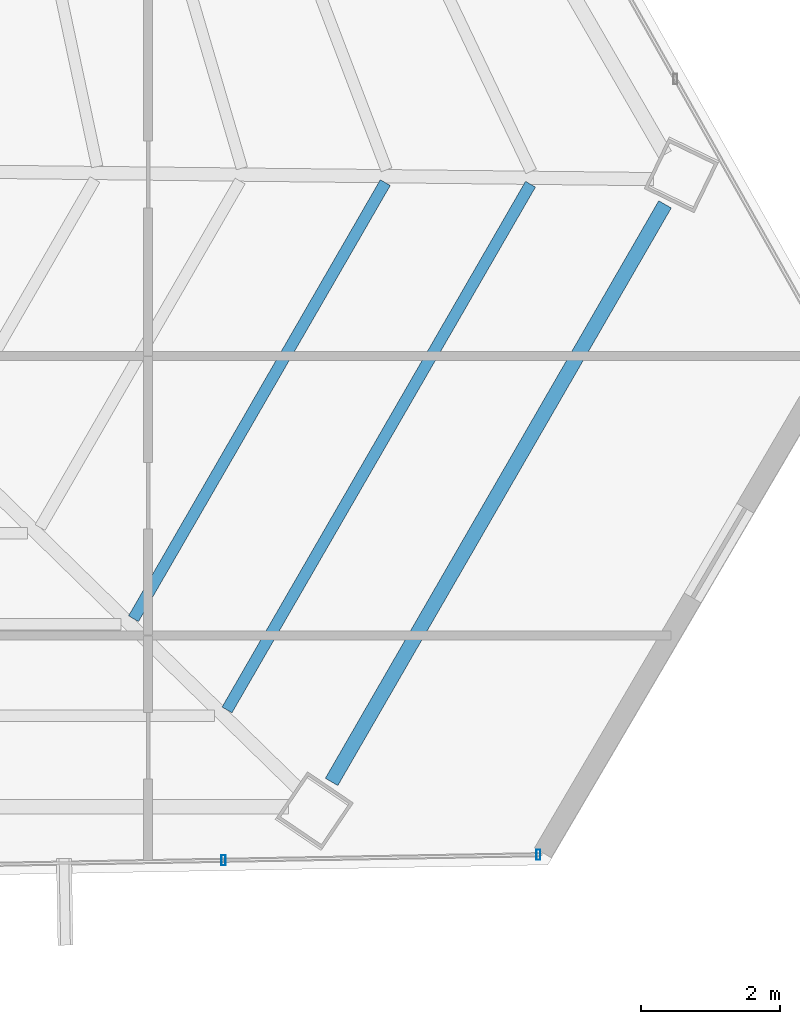
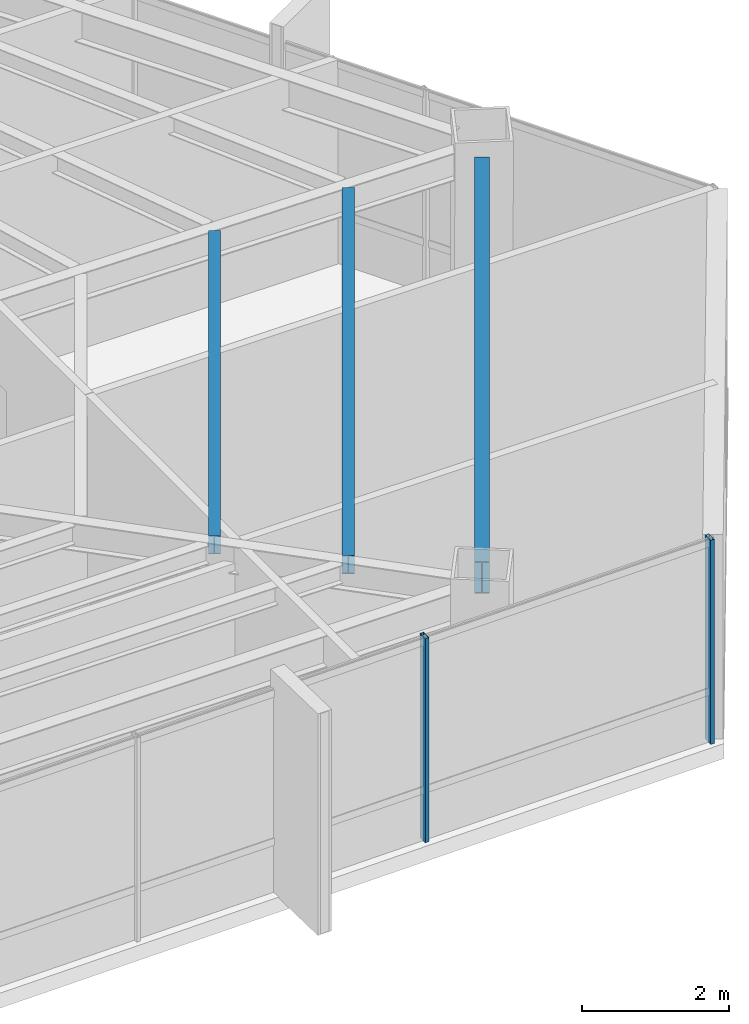
# One storey, part 20 of 42: 3 beams, 2 members, 1 element without a shape of its own.
"""IFC4 building model written with IfcOpenShell, lengths in metres."""

from ifc_helpers import new_model, si_unit, direction, frame, origin, origin_2d, place, context, subcontext, project, spatial, hollow_rectangle, i_section, extrude, source, transform, mapped, material, material_profile, profile_set, type_object, type_shapes, element, aggregate, save


model = new_model("IFC4")

# Units and contexts
model_context = context("Model", 3, precision=1e-05, world=origin(), true_north=direction((0.0, 1.0)))
body_context = subcontext(model_context, "Body", "Model", "MODEL_VIEW")
ifc_project = project(units=[si_unit("LENGTHUNIT", "METRE"), si_unit("AREAUNIT", "SQUARE_METRE"), si_unit("VOLUMEUNIT", "CUBIC_METRE"), si_unit("PLANEANGLEUNIT", "RADIAN"), si_unit("MASSUNIT", "GRAM", prefix="KILO")], contexts=[model_context])

# Site, building, storey
site_placement = place(None, origin())
site = spatial("IfcSite", under=ifc_project, at=site_placement, CompositionType="ELEMENT")
building_placement = place(site_placement, origin())
building = spatial("IfcBuilding", under=site, at=building_placement, Name="Caelisora Broadcast Tower", CompositionType="ELEMENT")
storey_placement = place(building_placement, frame((0.0, 0.0, 195.0)))
storey = spatial("IfcBuildingStorey", under=building, at=storey_placement, Name="L51", CompositionType="ELEMENT", Elevation=195.0)

# Beams
ifc_material_1 = material(Name="Steel Grade 350 (AS/NZS 3679.1)", Category="steel")
ifc_material_profile_1 = material_profile(ifc_material_1, i_section(OverallWidth=0.208984375, OverallDepth=0.532958984375, WebThickness=0.01025390625, FlangeThickness=0.015625, at=origin_2d()), Name="Steel Grade 350 (AS/NZS 3679.1)")
ifc_profile_set_1 = profile_set([ifc_material_profile_1], Name="Steel Grade 350 (AS/NZS 3679.1)")
beam_type_1 = type_object("IfcBeamType", Name="PG05", PredefinedType="BEAM", material=ifc_profile_set_1)
shared_shape_1 = source(origin(), body_context, "Body", "SweptSolid", [
    extrude(i_section(OverallWidth=0.208984375, OverallDepth=0.532958984375, WebThickness=0.01025390625, FlangeThickness=0.015625, at=origin_2d()), origin(), (0.0, 0.0, 1.0), 9.619140625),
])
type_shapes(beam_type_1, [shared_shape_1])
beam_1_placement = place(storey_placement, frame((55.14404296875, 8.54833984375, 3.133544921875), z_axis=(0.500004406092, 0.866022859911, 0.0), x_axis=(-0.866022859911, 0.500004406092, 0.0)))
element("IfcBeam", 1, at=beam_1_placement, inside=storey, type_object=beam_type_1, Name="L51 beam PG05", PredefinedType="BEAM", context=body_context, shape_type="MappedRepresentation", body=[
    mapped(shared_shape_1, transform((0.0, 0.0, 0.0), scale=1.0)),
])
ifc_material_profile_2 = material_profile(ifc_material_1, i_section(OverallWidth=0.166015625, OverallDepth=0.30712890625, WebThickness=0.006591796875, FlangeThickness=0.01171875, at=origin_2d()), Name="Steel Grade 350 (AS/NZS 3679.1)")
ifc_profile_set_2 = profile_set([ifc_material_profile_2], Name="Steel Grade 350 (AS/NZS 3679.1)")
beam_type_2 = type_object("IfcBeamType", Name="SB03", PredefinedType="JOIST", material=ifc_profile_set_2)
shared_shape_2 = source(origin(), body_context, "Body", "SweptSolid", [
    extrude(i_section(OverallWidth=0.166015625, OverallDepth=0.30712890625, WebThickness=0.006591796875, FlangeThickness=0.01171875, at=origin_2d()), origin(), (0.0, 0.0, 1.0), 7.2626953125),
])
beam_2_placement = place(storey_placement, frame((52.287841796875, 10.90283203125, 3.246337890625), z_axis=(0.499993067216, 0.866029406392, 0.0), x_axis=(-0.866029406392, 0.499993067216, 0.0)))
element("IfcBeam", 2, at=beam_2_placement, inside=storey, type_object=beam_type_2, Name="L51 beam SB03", PredefinedType="JOIST", context=body_context, shape_type="MappedRepresentation", body=[
    mapped(shared_shape_2, transform((0.0, 0.0, 0.0), scale=1.0)),
])
shared_shape_3 = source(origin(), body_context, "Body", "SweptSolid", [
    extrude(i_section(OverallWidth=0.166015625, OverallDepth=0.30712890625, WebThickness=0.006591796875, FlangeThickness=0.01171875, at=origin_2d()), origin(), (0.0, 0.0, 1.0), 8.755859375),
])
type_shapes(beam_type_2, [shared_shape_2, shared_shape_3])
beam_3_placement = place(storey_placement, frame((53.635986328125, 9.5869140625, 3.246337890625), z_axis=(0.500001630942, 0.866024462158, 0.0), x_axis=(-0.866024462158, 0.500001630942, 0.0)))
element("IfcBeam", 3, at=beam_3_placement, inside=storey, type_object=beam_type_2, Name="L51 beam SB03", PredefinedType="JOIST", context=body_context, shape_type="MappedRepresentation", body=[
    mapped(shared_shape_3, transform((0.0, 0.0, 0.0), scale=1.0)),
])

# Curtain wall, members
ifc_material_2 = material(Name="Unitised Aluminium and Low-E Glass Curtain Wall", Category="glass")
curtain_wall_type = type_object("IfcCurtainWallType", Name="CW-Z4", PredefinedType="NOTDEFINED", material=ifc_material_2)
curtain_wall_placement = place(storey_placement, origin())
curtain_wall = element("IfcCurtainWall", 4, at=curtain_wall_placement, inside=storey, type_object=curtain_wall_type, Name="L51 curtain wall CW-Z4", PredefinedType="NOTDEFINED")
ifc_material_3 = material(Name="Aluminium 6063-T6 Anodised Terracotta Bronze", Category="aluminium")
ifc_material_profile_3 = material_profile(ifc_material_3, hollow_rectangle(XDim=0.06005859375, YDim=0.14990234375, WallThickness=0.00341796875, at=origin_2d()), Name="Aluminium 6063-T6 Anodised Terracotta Bronze")
ifc_profile_set_3 = profile_set([ifc_material_profile_3], Name="Aluminium 6063-T6 Anodised Terracotta Bronze")
member_type = type_object("IfcMemberType", Name="CWM-03", PredefinedType="MULLION", material=ifc_profile_set_3)
shared_shape_4 = source(origin(), body_context, "Body", "SweptSolid", [
    extrude(hollow_rectangle(XDim=0.06005859375, YDim=0.14990234375, WallThickness=0.00341796875, at=origin_2d()), origin(), (0.0, 0.0, 1.0), 3.39990234375),
])
type_shapes(member_type, [shared_shape_4])
member_1_placement = place(storey_placement, frame((58.126953125, 7.4990234375, 0.0), z_axis=(0.0, 0.0, 1.0), x_axis=(1.0, 0.0, 0.0)))
member_1 = element("IfcMember", 5, at=member_1_placement, type_object=member_type, Name="L51-CW-B05 mullion #0", PredefinedType="MULLION", context=body_context, shape_type="MappedRepresentation", body=[
    mapped(shared_shape_4, transform((0.0, 0.0, 0.0), scale=1.0)),
])
member_2_placement = place(storey_placement, frame((53.58447265625, 7.418701171875, 0.0), z_axis=(0.0, 0.0, 1.0), x_axis=(1.0, 0.0, 0.0)))
member_2 = element("IfcMember", 6, at=member_2_placement, type_object=member_type, Name="L51-CW-B05 mullion #1", PredefinedType="MULLION", context=body_context, shape_type="MappedRepresentation", body=[
    mapped(shared_shape_4, transform((0.0, 0.0, 0.0), scale=1.0)),
])
aggregate(curtain_wall, [member_1, member_2])

save(model, "model.ifc")
